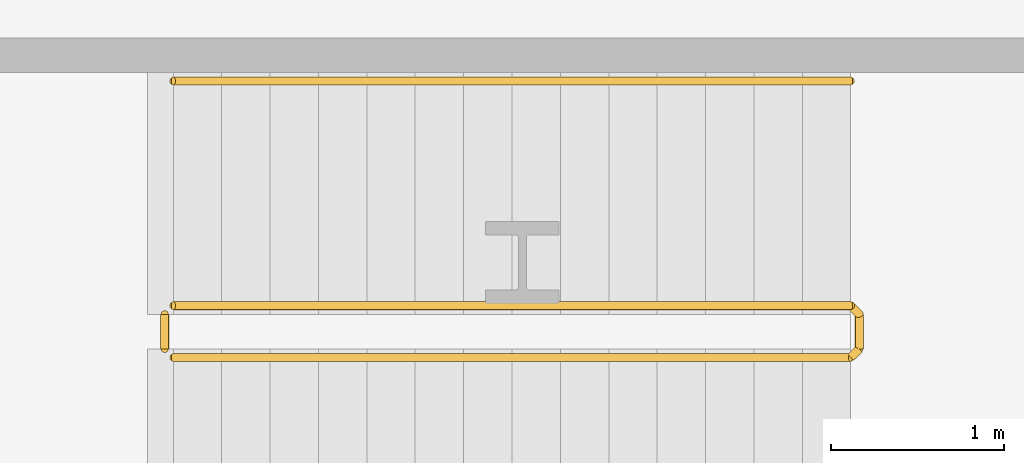
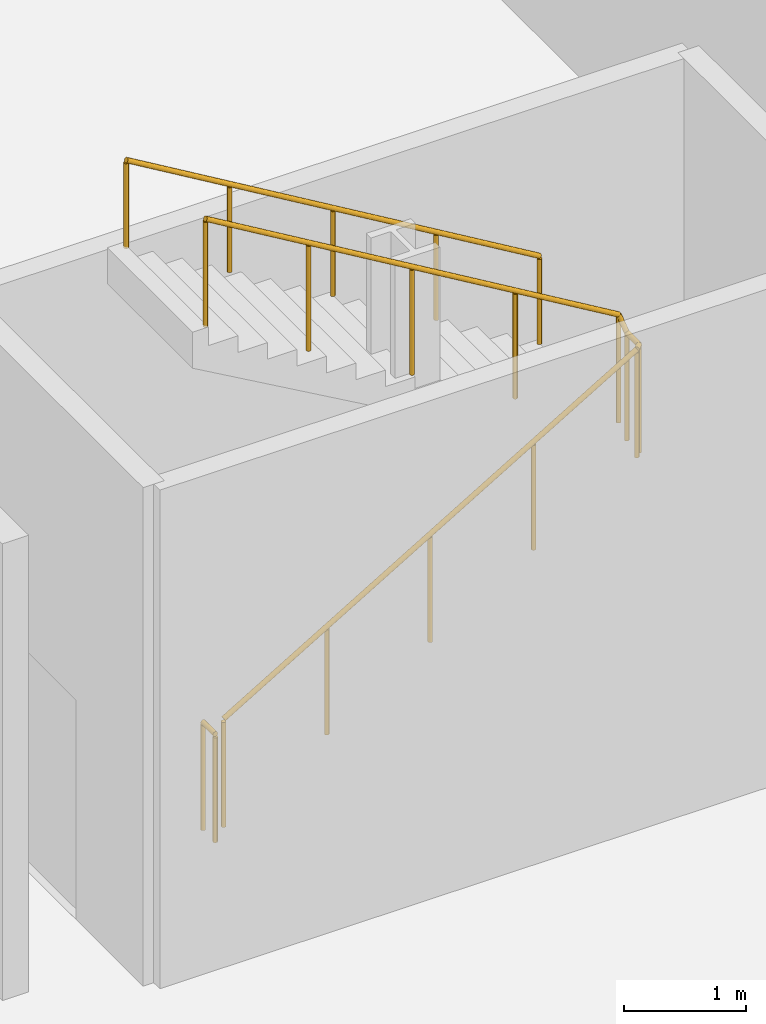
# One storey, part 18 of 19: 3 railings.
"""IFC4 building model written with IfcOpenShell, lengths in metres."""

from ifc_helpers import new_model, si_unit, direction, frame, origin, origin_2d, place, context, subcontext, project, spatial, circle, extrude, material, type_object, element, save


model = new_model("IFC4")

# Units and contexts
model_context = context("Model", 3, precision=1e-05, world=origin(), true_north=direction((0.0, 1.0)))
body_context = subcontext(model_context, "Body", "Model", "MODEL_VIEW")
ifc_project = project(units=[si_unit("LENGTHUNIT", "METRE"), si_unit("AREAUNIT", "SQUARE_METRE"), si_unit("VOLUMEUNIT", "CUBIC_METRE"), si_unit("PLANEANGLEUNIT", "RADIAN"), si_unit("MASSUNIT", "GRAM", prefix="KILO")], contexts=[model_context])

# Site, building, storey
site_placement = place(None, origin())
site = spatial("IfcSite", under=ifc_project, at=site_placement, CompositionType="ELEMENT")
building_placement = place(site_placement, origin())
building = spatial("IfcBuilding", under=site, at=building_placement, Name="Kheshtan School and Residences Tower", CompositionType="ELEMENT")
storey_placement = place(building_placement, frame((0.0, 0.0, -5.0)))
storey = spatial("IfcBuildingStorey", under=building, at=storey_placement, Name="B1", CompositionType="ELEMENT", Elevation=-5.0)

# Railings
ifc_material_1 = material(Name="Stainless steel balustrade", Category="steel")
railing_type_1 = type_object("IfcRailingType", Name="Stair guard 1100", PredefinedType="GUARDRAIL", material=ifc_material_1)
railing_1_placement = place(storey_placement, frame((126.580078125, 55.85009765625, 0.166748046875)))
element("IfcRailing", 1, at=railing_1_placement, inside=storey, type_object=railing_type_1, Name="B1 SS-east stair guard 1", PredefinedType="GUARDRAIL", context=body_context, shape_type="SweptSolid", body=[
    extrude(circle(Radius=0.02392578125, at=origin_2d()), frame((0.0, 0.0, 1.076171875), z_axis=(0.859296244711, 0.0, 0.511478214419), x_axis=(0.0, 1.0, 0.0)), (0.0, 0.0, 1.0), 4.561767578125),
    extrude(circle(Radius=0.02392578125, at=origin_2d()), frame((3.919921875, 0.0, 3.4091796875), z_axis=(0.708833529934, 0.705375805398, 0.0), x_axis=(-0.705375805398, 0.708833529934, 0.0)), (0.0, 0.0, 1.0), 0.070556640625),
    extrude(circle(Radius=0.02392578125, at=origin_2d()), frame((3.969970703125, 0.0498046875, 3.4091796875), z_axis=(0.0, 1.0, 0.0), x_axis=(-1.0, 0.0, 0.0)), (0.0, 0.0, 1.0), 0.2001953125),
    extrude(circle(Radius=0.02392578125, at=origin_2d()), frame((3.969970703125, 0.25, 3.4091796875), z_axis=(-0.276389281352, 0.275041040955, 0.920848191041), x_axis=(-0.705375805398, -0.708833529934, 0.0)), (0.0, 0.0, 1.0), 0.18115234375),
    extrude(circle(Radius=0.02392578125, at=origin_2d()), frame((3.919921875, 0.2998046875, 3.576171875), z_axis=(-0.859296244711, 0.0, 0.511478214419), x_axis=(0.0, -1.0, 0.0)), (0.0, 0.0, 1.0), 4.561767578125),
    extrude(circle(Radius=0.02099609375, at=origin_2d()), origin(), (0.0, 0.0, 1.0), 1.052001953125),
    extrude(circle(Radius=0.02099609375, at=origin_2d()), frame((0.97998046875, 0.0, 0.583251953125)), (0.0, 0.0, 1.0), 1.052001953125),
    extrude(circle(Radius=0.02099609375, at=origin_2d()), frame((1.9599609375, 0.0, 1.16650390625)), (0.0, 0.0, 1.0), 1.052001953125),
    extrude(circle(Radius=0.02099609375, at=origin_2d()), frame((2.93994140625, 0.0, 1.75)), (0.0, 0.0, 1.0), 1.052001953125),
    extrude(circle(Radius=0.02099609375, at=origin_2d()), frame((3.919921875, 0.0, 2.333251953125)), (0.0, 0.0, 1.0), 1.052001953125),
    extrude(circle(Radius=0.02099609375, at=origin_2d()), frame((3.969970703125, 0.0498046875, 2.333251953125)), (0.0, 0.0, 1.0), 1.052001953125),
    extrude(circle(Radius=0.02099609375, at=origin_2d()), frame((3.969970703125, 0.25, 2.333251953125)), (0.0, 0.0, 1.0), 1.052001953125),
    extrude(circle(Radius=0.02099609375, at=origin_2d()), frame((3.919921875, 0.2998046875, 2.5)), (0.0, 0.0, 1.0), 1.052001953125),
    extrude(circle(Radius=0.02099609375, at=origin_2d()), frame((2.93994140625, 0.2998046875, 3.083251953125)), (0.0, 0.0, 1.0), 1.052001953125),
    extrude(circle(Radius=0.02099609375, at=origin_2d()), frame((1.9599609375, 0.2998046875, 3.66650390625)), (0.0, 0.0, 1.0), 1.052001953125),
    extrude(circle(Radius=0.02099609375, at=origin_2d()), frame((0.97998046875, 0.2998046875, 4.25)), (0.0, 0.0, 1.0), 1.052001953125),
    extrude(circle(Radius=0.02099609375, at=origin_2d()), frame((0.0, 0.2998046875, 4.833251953125)), (0.0, 0.0, 1.0), 1.052001953125),
])
railing_2_placement = place(storey_placement, frame((126.530029296875, 55.89990234375, 0.0)))
element("IfcRailing", 2, at=railing_2_placement, inside=storey, type_object=railing_type_1, Name="B1 SS-east stair guard 2", PredefinedType="GUARDRAIL", context=body_context, shape_type="SweptSolid", body=[
    extrude(circle(Radius=0.02392578125, at=origin_2d()), frame((0.0, 0.0, 1.076171875), z_axis=(0.0, 1.0, 0.0), x_axis=(-1.0, 0.0, 0.0)), (0.0, 0.0, 1.0), 0.2001953125),
    extrude(circle(Radius=0.02099609375, at=origin_2d()), origin(), (0.0, 0.0, 1.0), 1.052001953125),
    extrude(circle(Radius=0.02099609375, at=origin_2d()), frame((0.0, 0.2001953125, 0.0)), (0.0, 0.0, 1.0), 1.052001953125),
])
ifc_material_2 = material(Name="Stainless steel handrail", Category="steel")
railing_type_2 = type_object("IfcRailingType", Name="Stair handrail 900", PredefinedType="HANDRAIL", material=ifc_material_2)
railing_3_placement = place(storey_placement, frame((130.5, 57.449951171875, 2.666748046875)))
element("IfcRailing", 3, at=railing_3_placement, inside=storey, type_object=railing_type_2, Name="B1 SS-east stair handrail 2", PredefinedType="HANDRAIL", context=body_context, shape_type="SweptSolid", body=[
    extrude(circle(Radius=0.02392578125, at=origin_2d()), frame((0.0, 0.0, 0.8759765625), z_axis=(-0.859296244711, 0.0, 0.511478214419), x_axis=(0.0, -1.0, 0.0)), (0.0, 0.0, 1.0), 4.561767578125),
    extrude(circle(Radius=0.02099609375, at=origin_2d()), origin(), (0.0, 0.0, 1.0), 0.851806640625),
    extrude(circle(Radius=0.02099609375, at=origin_2d()), frame((-0.97998046875, 0.0, 0.583251953125)), (0.0, 0.0, 1.0), 0.851806640625),
    extrude(circle(Radius=0.02099609375, at=origin_2d()), frame((-1.9599609375, 0.0, 1.16650390625)), (0.0, 0.0, 1.0), 0.851806640625),
    extrude(circle(Radius=0.02099609375, at=origin_2d()), frame((-2.93994140625, 0.0, 1.75)), (0.0, 0.0, 1.0), 0.851806640625),
    extrude(circle(Radius=0.02099609375, at=origin_2d()), frame((-3.919921875, 0.0, 2.333251953125)), (0.0, 0.0, 1.0), 0.851806640625),
])

save(model, "model.ifc")
